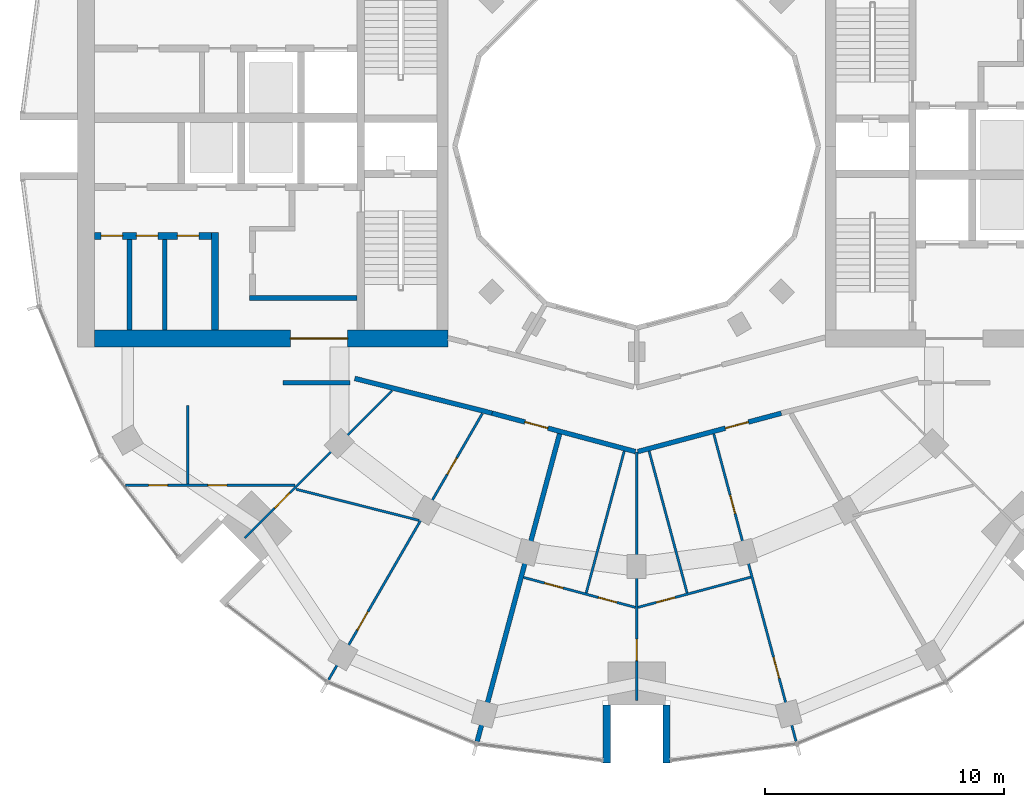
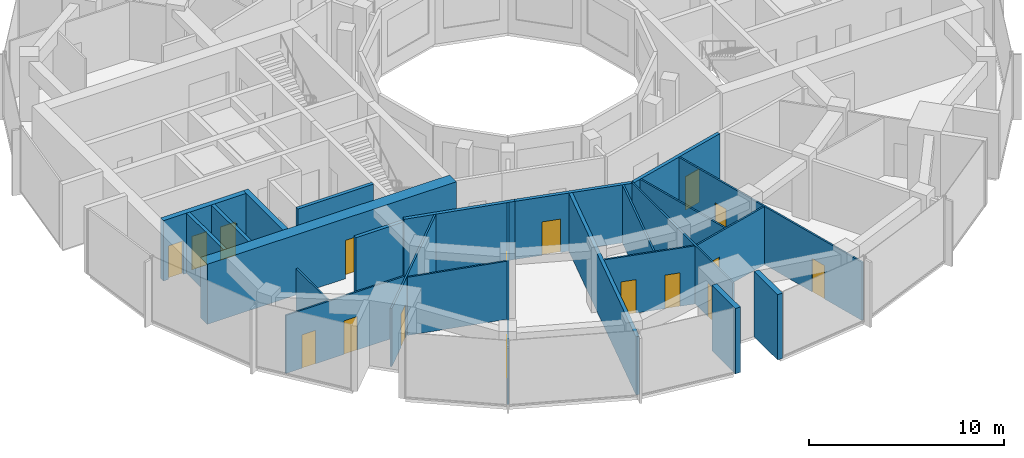
# One storey, part 8 of 15: 24 walls, 17 doors, 17 openings.
"""IFC4 building model written with IfcOpenShell, lengths in metres."""

from ifc_helpers import new_model, si_unit, direction, frame, frame_2d, origin, place, context, subcontext, project, spatial, rectangle, extrude, material, layer, layer_set, type_object, element, fill, save


model = new_model("IFC4")

# Units and contexts
model_context = context("Model", 3, precision=1e-05, world=origin(), true_north=direction((0.0, 1.0)))
body_context = subcontext(model_context, "Body", "Model", "MODEL_VIEW")
ifc_project = project(units=[si_unit("LENGTHUNIT", "METRE"), si_unit("AREAUNIT", "SQUARE_METRE"), si_unit("VOLUMEUNIT", "CUBIC_METRE"), si_unit("PLANEANGLEUNIT", "RADIAN"), si_unit("MASSUNIT", "GRAM", prefix="KILO")], contexts=[model_context])

# Site, building, storey
site_placement = place(None, origin())
site = spatial("IfcSite", under=ifc_project, at=site_placement, CompositionType="ELEMENT")
building_placement = place(site_placement, origin())
building = spatial("IfcBuilding", under=site, at=building_placement, Name="Torre Brocal", CompositionType="ELEMENT")
storey_placement = place(building_placement, frame((0.0, 0.0, 198.699951171875)))
storey = spatial("IfcBuildingStorey", under=building, at=storey_placement, Name="L46", CompositionType="ELEMENT", Elevation=198.699951171875)

# Walls
ifc_material_1 = material(Name="Masonry block", Category="masonry")
ifc_layer_1 = layer(ifc_material_1, 0.199951171875)
ifc_layer_set_1 = layer_set([ifc_layer_1], Name="Masonry block")
wall_type_1 = type_object("IfcWallType", Name="CORE PARTITION 200", PredefinedType="PARTITIONING", material=ifc_layer_set_1)
for number, where, z_axis, x_axis, name in (
    (1, (60.239990234375, 71.10009765625, 0.0), (0.0, 0.0, 1.0), (0.0, -1.0, 0.0), "Wall CP200"),
    (2, (58.77001953125, 71.10009765625, 0.0), (0.0, 0.0, 1.0), (0.0, -1.0, 0.0), "Wall CP200"),
):
    element("IfcWall", number, at=place(storey_placement, frame(where, z_axis=z_axis, x_axis=x_axis)), inside=storey, type_object=wall_type_1, Name=name, PredefinedType="PARTITIONING", context=body_context, shape_type="SweptSolid", body=[
        extrude(rectangle(XDim=3.800048828125, YDim=0.199951171875, at=frame_2d((1.89990234375, 0.0))), origin(), (0.0, 0.0, 1.0), 3.780029296875),
    ])
ifc_material_2 = material(Name="Concrete C70", Category="concrete")
ifc_layer_2 = layer(ifc_material_2, 0.199951171875)
ifc_layer_set_2 = layer_set([ifc_layer_2], Name="Concrete C70")
wall_type_2 = type_object("IfcWallType", Name="CORE WALL 200 C70", PredefinedType="SHEAR", material=ifc_layer_set_2)
wall_1_placement = place(storey_placement, frame((68.300048828125, 68.64990234375, 0.0), z_axis=(0.0, 0.0, 1.0), x_axis=(-1.0, 0.0, 0.0)))
element("IfcWall", 3, at=wall_1_placement, inside=storey, type_object=wall_type_2, Name="Wall CW200-70", PredefinedType="SHEAR", context=body_context, shape_type="SweptSolid", body=[
    extrude(rectangle(XDim=4.5, YDim=0.199951171875, at=frame_2d((2.25, 0.0))), origin(), (0.0, 0.0, 1.0), 3.780029296875),
])
ifc_material_3 = material(Name="Concrete C70", Category="concrete")
ifc_layer_3 = layer(ifc_material_3, 0.300048828125)
ifc_layer_set_3 = layer_set([ifc_layer_3], Name="Concrete C70")
wall_type_3 = type_object("IfcWallType", Name="CORE WALL 300 C70", PredefinedType="SHEAR", material=ifc_layer_set_3)
wall_2_placement = place(storey_placement, frame((62.35009765625, 71.39990234375, 0.0), z_axis=(0.0, 0.0, 1.0), x_axis=(0.0, -1.0, 0.0)))
element("IfcWall", 4, at=wall_2_placement, inside=storey, type_object=wall_type_3, Name="Wall CW300-70", PredefinedType="SHEAR", context=body_context, shape_type="SweptSolid", body=[
    extrude(rectangle(XDim=4.099853515625, YDim=0.300048828125, at=frame_2d((2.0498046875, 0.0))), origin(), (0.0, 0.0, 1.0), 3.780029296875),
])

# Wall, openings, doors
wall_3_placement = place(storey_placement, frame((62.199951171875, 71.25, 0.0), z_axis=(0.0, 0.0, 1.0), x_axis=(-1.0, 0.0, 0.0)))
wall_3 = element("IfcWall", 5, at=wall_3_placement, inside=storey, type_object=wall_type_3, Name="Wall CW300-70", PredefinedType="SHEAR", context=body_context, shape_type="SweptSolid", body=[
    extrude(rectangle(XDim=4.89990234375, YDim=0.300048828125, at=frame_2d((2.449951171875, 0.0))), origin(), (0.0, 0.0, 1.0), 3.780029296875),
])
opening_1_placement = place(wall_3_placement, frame((0.530029296875, 0.0, 0.0)))
opening_1 = element("IfcOpeningElement", 6, at=opening_1_placement, cuts=wall_3, Name="Opening W-D28", PredefinedType="OPENING", context=body_context, shape_type="SweptSolid", body=[
    extrude(rectangle(XDim=0.89990234375, YDim=2.10009765625, at=frame_2d((0.449951171875, 1.050048828125))), frame((0.0, 0.159912109375, 0.0), z_axis=(0.0, -1.0, 0.0), x_axis=(1.0, 0.0, 0.0)), (0.0, 0.0, 1.0), 0.320068359375),
])
opening_2_placement = place(wall_3_placement, frame((2.2451171875, 0.0, 0.0)))
opening_2 = element("IfcOpeningElement", 7, at=opening_2_placement, cuts=wall_3, Name="Opening W-D09", PredefinedType="OPENING", context=body_context, shape_type="SweptSolid", body=[
    extrude(rectangle(XDim=0.89990234375, YDim=2.10009765625, at=frame_2d((0.449951171875, 1.050048828125))), frame((0.0, 0.159912109375, 0.0), z_axis=(0.0, -1.0, 0.0), x_axis=(1.0, 0.0, 0.0)), (0.0, 0.0, 1.0), 0.320068359375),
])
opening_3_placement = place(wall_3_placement, frame((3.715087890625, 0.0, 0.0)))
opening_3 = element("IfcOpeningElement", 8, at=opening_3_placement, cuts=wall_3, Name="Opening W-D10", PredefinedType="OPENING", context=body_context, shape_type="SweptSolid", body=[
    extrude(rectangle(XDim=0.89990234375, YDim=2.10009765625, at=frame_2d((0.449951171875, 1.050048828125))), frame((0.0, 0.159912109375, 0.0), z_axis=(0.0, -1.0, 0.0), x_axis=(1.0, 0.0, 0.0)), (0.0, 0.0, 1.0), 0.320068359375),
])
ifc_material_4 = material(Name="Steel A653", Category="steel")
door_type_1 = type_object("IfcDoorType", Name="ROOM DOOR FD30S 900X2100", OperationType="SINGLE_SWING_LEFT", PredefinedType="DOOR", material=ifc_material_4)
door_1_placement = place(opening_1_placement, origin())
door_1 = element("IfcDoor", 9, at=door_1_placement, inside=storey, type_object=door_type_1, Name="Door W-D28", OperationType="SINGLE_SWING_RIGHT", OverallHeight=2.10009765625, OverallWidth=0.89990234375, PredefinedType="DOOR", context=body_context, shape_type="SweptSolid", body=[
    extrude(rectangle(XDim=0.89990234375, YDim=2.10009765625, at=frame_2d((0.449951171875, 1.050048828125))), frame((0.0, 0.02490234375, 0.0), z_axis=(0.0, -1.0, 0.0), x_axis=(1.0, 0.0, 0.0)), (0.0, 0.0, 1.0), 0.050048828125),
])
fill(opening_1, door_1)
door_2_placement = place(opening_2_placement, origin())
door_2 = element("IfcDoor", 10, at=door_2_placement, inside=storey, type_object=door_type_1, Name="Door W-D09", OperationType="SINGLE_SWING_LEFT", OverallHeight=2.10009765625, OverallWidth=0.89990234375, PredefinedType="DOOR", context=body_context, shape_type="SweptSolid", body=[
    extrude(rectangle(XDim=0.89990234375, YDim=2.10009765625, at=frame_2d((0.449951171875, 1.050048828125))), frame((0.0, 0.02490234375, 0.0), z_axis=(0.0, -1.0, 0.0), x_axis=(1.0, 0.0, 0.0)), (0.0, 0.0, 1.0), 0.050048828125),
])
fill(opening_2, door_2)
door_3_placement = place(opening_3_placement, origin())
door_3 = element("IfcDoor", 11, at=door_3_placement, inside=storey, type_object=door_type_1, Name="Door W-D10", OperationType="SINGLE_SWING_LEFT", OverallHeight=2.10009765625, OverallWidth=0.89990234375, PredefinedType="DOOR", context=body_context, shape_type="SweptSolid", body=[
    extrude(rectangle(XDim=0.89990234375, YDim=2.10009765625, at=frame_2d((0.449951171875, 1.050048828125))), frame((0.0, 0.02490234375, 0.0), z_axis=(0.0, -1.0, 0.0), x_axis=(1.0, 0.0, 0.0)), (0.0, 0.0, 1.0), 0.050048828125),
])
fill(opening_3, door_3)

# Wall, opening, door
ifc_material_5 = material(Name="Concrete C70", Category="concrete")
ifc_layer_4 = layer(ifc_material_5, 0.699951171875)
ifc_layer_set_4 = layer_set([ifc_layer_4], Name="Concrete C70")
wall_type_4 = type_object("IfcWallType", Name="CORE WALL 700 C70", PredefinedType="SHEAR", material=ifc_layer_set_4)
wall_4_placement = place(storey_placement, frame((72.10009765625, 66.949951171875, 0.0), z_axis=(0.0, 0.0, 1.0), x_axis=(-1.0, 0.0, 0.0)))
wall_4 = element("IfcWall", 12, at=wall_4_placement, inside=storey, type_object=wall_type_4, Name="Wall CW700-70", PredefinedType="SHEAR", context=body_context, shape_type="SweptSolid", body=[
    extrude(rectangle(XDim=14.800048828125, YDim=0.699951171875, at=frame_2d((7.39990234375, 0.0))), origin(), (0.0, 0.0, 1.0), 3.780029296875),
])
opening_4_placement = place(wall_4_placement, frame((4.199951171875, 0.0, 0.0)))
opening_4 = element("IfcOpeningElement", 13, at=opening_4_placement, cuts=wall_4, Name="Opening W-D34", PredefinedType="OPENING", context=body_context, shape_type="SweptSolid", body=[
    extrude(rectangle(XDim=2.39990234375, YDim=2.39990234375, at=frame_2d((1.199951171875, 1.199951171875))), frame((0.0, 0.35986328125, 0.0), z_axis=(0.0, -1.0, 0.0), x_axis=(1.0, 0.0, 0.0)), (0.0, 0.0, 1.0), 0.719970703125),
])
ifc_material_6 = material(Name="Steel A653", Category="steel")
door_type_2 = type_object("IfcDoorType", Name="DOUBLE FIRE DOOR FD90 2400X2400", OperationType="DOUBLE_DOOR_SINGLE_SWING", PredefinedType="DOOR", material=ifc_material_6)
door_4_placement = place(opening_4_placement, frame((2.39990234375, 0.0, 0.0), z_axis=(0.0, 0.0, 1.0), x_axis=(-1.0, 0.0, 0.0)))
door_4 = element("IfcDoor", 14, at=door_4_placement, inside=storey, type_object=door_type_2, Name="Door W-D34", OperationType="DOUBLE_DOOR_SINGLE_SWING", OverallHeight=2.39990234375, OverallWidth=2.39990234375, PredefinedType="DOOR", context=body_context, shape_type="SweptSolid", body=[
    extrude(rectangle(XDim=2.39990234375, YDim=2.39990234375, at=frame_2d((1.199951171875, 1.199951171875))), frame((0.0, 0.02490234375, 0.0), z_axis=(0.0, -1.0, 0.0), x_axis=(1.0, 0.0, 0.0)), (0.0, 0.0, 1.0), 0.050048828125),
])
fill(opening_4, door_4)

# Walls
ifc_material_7 = material(Name="Concrete C70", Category="concrete")
ifc_layer_5 = layer(ifc_material_7, 0.300048828125)
ifc_layer_set_5 = layer_set([ifc_layer_5], Name="Concrete C70")
wall_type_5 = type_object("IfcWallType", Name="NOTCH RETURN WALL 300 C70", PredefinedType="NOTDEFINED", material=ifc_layer_set_5)
for number, where, z_axis, x_axis, name in (
    (15, (78.75, 51.60009765625, 0.0), (0.0, 0.0, 1.0), (0.0, -1.0, 0.0), "NOTCH RETURN WALL"),
    (16, (81.25, 51.60009765625, 0.0), (0.0, 0.0, 1.0), (0.0, -1.0, 0.0), "NOTCH RETURN WALL"),
):
    element("IfcWall", number, at=place(storey_placement, frame(where, z_axis=z_axis, x_axis=x_axis)), inside=storey, type_object=wall_type_5, Name=name, PredefinedType="NOTDEFINED", context=body_context, shape_type="SweptSolid", body=[
        extrude(rectangle(XDim=2.415771484375, YDim=0.300048828125, at=frame_2d((1.2080078125, 0.0))), origin(), (0.0, 0.0, 1.0), 4.10009765625),
    ])

# Wall, openings, doors
ifc_material_8 = material(Name="Gypsum board", Category="Gypsum")
ifc_layer_6 = layer(ifc_material_8, 0.10009765625)
ifc_layer_set_6 = layer_set([ifc_layer_6], Name="Gypsum board")
wall_type_6 = type_object("IfcWallType", Name="PARTITION 100", PredefinedType="PARTITIONING", material=ifc_layer_set_6)
wall_5_placement = place(storey_placement, frame((58.60009765625, 60.81201171875, 0.0), z_axis=(0.0, 0.0, 1.0), x_axis=(1.0, 0.0, 0.0)))
wall_5 = element("IfcWall", 17, at=wall_5_placement, inside=storey, type_object=wall_type_6, Name="BATHROOM WALL", PredefinedType="PARTITIONING", context=body_context, shape_type="SweptSolid", body=[
    extrude(rectangle(XDim=7.091796875, YDim=0.10009765625, at=frame_2d((3.5458984375, 0.0))), origin(), (0.0, 0.0, 1.0), 3.650146484375),
])
opening_5_placement = place(wall_5_placement, frame((3.446044921875, 0.0, 0.0)))
opening_5 = element("IfcOpeningElement", 18, at=opening_5_placement, cuts=wall_5, Name="Opening R04-D35", PredefinedType="OPENING", context=body_context, shape_type="SweptSolid", body=[
    extrude(rectangle(XDim=0.800048828125, YDim=2.10009765625, at=frame_2d((0.39990234375, 1.050048828125))), frame((0.0, 0.06005859375, 0.0), z_axis=(0.0, -1.0, 0.0), x_axis=(1.0, 0.0, 0.0)), (0.0, 0.0, 1.0), 0.1201171875),
])
opening_6_placement = place(wall_5_placement, frame((0.965087890625, 0.0, 0.0)))
opening_6 = element("IfcOpeningElement", 19, at=opening_6_placement, cuts=wall_5, Name="Opening R04-D36", PredefinedType="OPENING", context=body_context, shape_type="SweptSolid", body=[
    extrude(rectangle(XDim=0.800048828125, YDim=2.10009765625, at=frame_2d((0.39990234375, 1.050048828125))), frame((0.0, 0.06005859375, 0.0), z_axis=(0.0, -1.0, 0.0), x_axis=(1.0, 0.0, 0.0)), (0.0, 0.0, 1.0), 0.1201171875),
])
ifc_material_9 = material(Name="Timber", Category="wood")
door_type_3 = type_object("IfcDoorType", Name="BATHROOM DOOR 800X2100", OperationType="SINGLE_SWING_LEFT", PredefinedType="DOOR", material=ifc_material_9)
door_5_placement = place(opening_5_placement, origin())
door_5 = element("IfcDoor", 20, at=door_5_placement, inside=storey, type_object=door_type_3, Name="R04-D35", OperationType="SINGLE_SWING_LEFT", OverallHeight=2.10009765625, OverallWidth=0.800048828125, PredefinedType="DOOR", context=body_context, shape_type="SweptSolid", body=[
    extrude(rectangle(XDim=0.800048828125, YDim=2.10009765625, at=frame_2d((0.39990234375, 1.050048828125))), frame((0.0, 0.02490234375, 0.0), z_axis=(0.0, -1.0, 0.0), x_axis=(1.0, 0.0, 0.0)), (0.0, 0.0, 1.0), 0.050048828125),
])
fill(opening_5, door_5)
door_6_placement = place(opening_6_placement, frame((0.800048828125, 0.0, 0.0), z_axis=(0.0, 0.0, 1.0), x_axis=(-1.0, 0.0, 0.0)))
door_6 = element("IfcDoor", 21, at=door_6_placement, inside=storey, type_object=door_type_3, Name="R04-D36", OperationType="SINGLE_SWING_RIGHT", OverallHeight=2.10009765625, OverallWidth=0.800048828125, PredefinedType="DOOR", context=body_context, shape_type="SweptSolid", body=[
    extrude(rectangle(XDim=0.800048828125, YDim=2.10009765625, at=frame_2d((0.39990234375, 1.050048828125))), frame((0.0, 0.02490234375, 0.0), z_axis=(0.0, -1.0, 0.0), x_axis=(1.0, 0.0, 0.0)), (0.0, 0.0, 1.0), 0.050048828125),
])
fill(opening_6, door_6)

# Wall
wall_6_placement = place(storey_placement, frame((61.199951171875, 60.862060546875, 0.0), z_axis=(0.0, 0.0, 1.0), x_axis=(0.0, 1.0, 0.0)))
element("IfcWall", 22, at=wall_6_placement, inside=storey, type_object=wall_type_6, Name="BATHROOM WALL", PredefinedType="PARTITIONING", context=body_context, shape_type="SweptSolid", body=[
    extrude(rectangle(XDim=3.282958984375, YDim=0.10009765625, at=frame_2d((1.6416015625, 0.0))), origin(), (0.0, 0.0, 1.0), 3.650146484375),
])

# Wall, opening, door
wall_7_placement = place(storey_placement, frame((63.591552734375, 58.599609375, 0.0), z_axis=(0.0, 0.0, 1.0), x_axis=(0.707260766325, 0.706952762508, 0.0)))
wall_7 = element("IfcWall", 23, at=wall_7_placement, inside=storey, type_object=wall_type_6, Name="BATHROOM WALL", PredefinedType="PARTITIONING", context=body_context, shape_type="SweptSolid", body=[
    extrude(rectangle(XDim=8.71923828125, YDim=0.10009765625, at=frame_2d((4.359619140625, 0.0))), origin(), (0.0, 0.0, 1.0), 3.650146484375),
])
opening_7_placement = place(wall_7_placement, frame((1.772216796875, 0.0, 0.0)))
opening_7 = element("IfcOpeningElement", 24, at=opening_7_placement, cuts=wall_7, Name="Opening R04-D34", PredefinedType="OPENING", context=body_context, shape_type="SweptSolid", body=[
    extrude(rectangle(XDim=0.89990234375, YDim=2.10009765625, at=frame_2d((0.449951171875, 1.050048828125))), frame((0.0, 0.06005859375, 0.0), z_axis=(0.0, -1.0, 0.0), x_axis=(1.0, 0.0, 0.0)), (0.0, 0.0, 1.0), 0.1201171875),
])
ifc_material_10 = material(Name="Timber", Category="wood")
door_type_4 = type_object("IfcDoorType", Name="ROOM DOOR 900X2100", OperationType="SINGLE_SWING_LEFT", PredefinedType="DOOR", material=ifc_material_10)
door_7_placement = place(opening_7_placement, origin())
door_7 = element("IfcDoor", 25, at=door_7_placement, inside=storey, type_object=door_type_4, Name="R04-D34", OperationType="SINGLE_SWING_LEFT", OverallHeight=2.10009765625, OverallWidth=0.89990234375, PredefinedType="DOOR", context=body_context, shape_type="SweptSolid", body=[
    extrude(rectangle(XDim=0.89990234375, YDim=2.10009765625, at=frame_2d((0.449951171875, 1.050048828125))), frame((0.0, 0.02490234375, 0.0), z_axis=(0.0, -1.0, 0.0), x_axis=(1.0, 0.0, 0.0)), (0.0, 0.0, 1.0), 0.050048828125),
])
fill(opening_7, door_7)

# Wall
wall_8_placement = place(storey_placement, frame((65.739501953125, 60.642333984375, 0.0), z_axis=(0.0, 0.0, 1.0), x_axis=(0.969435742918, -0.245345349156, 0.0)))
element("IfcWall", 26, at=wall_8_placement, inside=storey, type_object=wall_type_6, Name="BATHROOM WALL", PredefinedType="PARTITIONING", context=body_context, shape_type="SweptSolid", body=[
    extrude(rectangle(XDim=5.313720703125, YDim=0.10009765625, at=frame_2d((2.65673828125, 0.0))), origin(), (0.0, 0.0, 1.0), 3.650146484375),
])

# Wall, openings, doors
wall_9_placement = place(storey_placement, frame((67.100830078125, 52.65869140625, 0.0), z_axis=(0.0, 0.0, 1.0), x_axis=(0.500035926033, 0.866004660886, 0.0)))
wall_9 = element("IfcWall", 27, at=wall_9_placement, inside=storey, type_object=wall_type_6, Name="BATHROOM WALL", PredefinedType="PARTITIONING", context=body_context, shape_type="SweptSolid", body=[
    extrude(rectangle(XDim=12.87646484375, YDim=0.10009765625, at=frame_2d((6.438232421875, 0.0))), origin(), (0.0, 0.0, 1.0), 3.650146484375),
])
opening_8_placement = place(wall_9_placement, frame((2.40087890625, 0.0, 0.0)))
opening_8 = element("IfcOpeningElement", 28, at=opening_8_placement, cuts=wall_9, Name="Opening R04-D32", PredefinedType="OPENING", context=body_context, shape_type="SweptSolid", body=[
    extrude(rectangle(XDim=0.89990234375, YDim=2.10009765625, at=frame_2d((0.449951171875, 1.050048828125))), frame((0.0, 0.06005859375, 0.0), z_axis=(0.0, -1.0, 0.0), x_axis=(1.0, 0.0, 0.0)), (0.0, 0.0, 1.0), 0.1201171875),
])
opening_9_placement = place(wall_9_placement, frame((9.93603515625, 0.0, 0.0)))
opening_9 = element("IfcOpeningElement", 29, at=opening_9_placement, cuts=wall_9, Name="Opening R04-D33", PredefinedType="OPENING", context=body_context, shape_type="SweptSolid", body=[
    extrude(rectangle(XDim=0.800048828125, YDim=2.10009765625, at=frame_2d((0.39990234375, 1.050048828125))), frame((0.0, 0.06005859375, 0.0), z_axis=(0.0, -1.0, 0.0), x_axis=(1.0, 0.0, 0.0)), (0.0, 0.0, 1.0), 0.1201171875),
])
door_8_placement = place(opening_9_placement, origin())
door_8 = element("IfcDoor", 30, at=door_8_placement, inside=storey, type_object=door_type_3, Name="R04-D33", OperationType="SINGLE_SWING_RIGHT", OverallHeight=2.10009765625, OverallWidth=0.800048828125, PredefinedType="DOOR", context=body_context, shape_type="SweptSolid", body=[
    extrude(rectangle(XDim=0.800048828125, YDim=2.10009765625, at=frame_2d((0.39990234375, 1.050048828125))), frame((0.0, 0.02490234375, 0.0), z_axis=(0.0, -1.0, 0.0), x_axis=(1.0, 0.0, 0.0)), (0.0, 0.0, 1.0), 0.050048828125),
])
fill(opening_9, door_8)
door_9_placement = place(opening_8_placement, origin())
door_9 = element("IfcDoor", 31, at=door_9_placement, inside=storey, type_object=door_type_4, Name="R04-D32", OperationType="SINGLE_SWING_LEFT", OverallHeight=2.10009765625, OverallWidth=0.89990234375, PredefinedType="DOOR", context=body_context, shape_type="SweptSolid", body=[
    extrude(rectangle(XDim=0.89990234375, YDim=2.10009765625, at=frame_2d((0.449951171875, 1.050048828125))), frame((0.0, 0.02490234375, 0.0), z_axis=(0.0, -1.0, 0.0), x_axis=(1.0, 0.0, 0.0)), (0.0, 0.0, 1.0), 0.050048828125),
])
fill(opening_8, door_9)

wall_10_placement = place(storey_placement, frame((75.266845703125, 56.9501953125, 0.0), z_axis=(0.0, 0.0, 1.0), x_axis=(0.965900084933, -0.25891509405, 0.0)))
wall_10 = element("IfcWall", 32, at=wall_10_placement, inside=storey, type_object=wall_type_6, Name="BATHROOM WALL", PredefinedType="PARTITIONING", context=body_context, shape_type="SweptSolid", body=[
    extrude(rectangle(XDim=4.840087890625, YDim=0.10009765625, at=frame_2d((2.419921875, 0.0))), origin(), (0.0, 0.0, 1.0), 3.650146484375),
])
opening_10_placement = place(wall_10_placement, frame((0.909912109375, 0.0, 0.0)))
opening_10 = element("IfcOpeningElement", 33, at=opening_10_placement, cuts=wall_10, Name="Opening R04-D29", PredefinedType="OPENING", context=body_context, shape_type="SweptSolid", body=[
    extrude(rectangle(XDim=0.800048828125, YDim=2.10009765625, at=frame_2d((0.39990234375, 1.050048828125))), frame((0.0, 0.06005859375, 0.0), z_axis=(0.0, -1.0, 0.0), x_axis=(1.0, 0.0, 0.0)), (0.0, 0.0, 1.0), 0.1201171875),
])
opening_11_placement = place(wall_10_placement, frame((3.240478515625, 0.0, 0.0)))
opening_11 = element("IfcOpeningElement", 34, at=opening_11_placement, cuts=wall_10, Name="Opening R04-D30", PredefinedType="OPENING", context=body_context, shape_type="SweptSolid", body=[
    extrude(rectangle(XDim=0.800048828125, YDim=2.10009765625, at=frame_2d((0.39990234375, 1.050048828125))), frame((0.0, 0.06005859375, 0.0), z_axis=(0.0, -1.0, 0.0), x_axis=(1.0, 0.0, 0.0)), (0.0, 0.0, 1.0), 0.1201171875),
])
door_10_placement = place(opening_10_placement, origin())
door_10 = element("IfcDoor", 35, at=door_10_placement, inside=storey, type_object=door_type_3, Name="R04-D29", OperationType="SINGLE_SWING_LEFT", OverallHeight=2.10009765625, OverallWidth=0.800048828125, PredefinedType="DOOR", context=body_context, shape_type="SweptSolid", body=[
    extrude(rectangle(XDim=0.800048828125, YDim=2.10009765625, at=frame_2d((0.39990234375, 1.050048828125))), frame((0.0, 0.02490234375, 0.0), z_axis=(0.0, -1.0, 0.0), x_axis=(1.0, 0.0, 0.0)), (0.0, 0.0, 1.0), 0.050048828125),
])
fill(opening_10, door_10)
door_11_placement = place(opening_11_placement, frame((0.800048828125, 0.0, 0.0), z_axis=(0.0, 0.0, 1.0), x_axis=(-1.0, 0.0, 0.0)))
door_11 = element("IfcDoor", 36, at=door_11_placement, inside=storey, type_object=door_type_3, Name="R04-D30", OperationType="SINGLE_SWING_LEFT", OverallHeight=2.10009765625, OverallWidth=0.800048828125, PredefinedType="DOOR", context=body_context, shape_type="SweptSolid", body=[
    extrude(rectangle(XDim=0.800048828125, YDim=2.10009765625, at=frame_2d((0.39990234375, 1.050048828125))), frame((0.0, 0.02490234375, 0.0), z_axis=(0.0, -1.0, 0.0), x_axis=(1.0, 0.0, 0.0)), (0.0, 0.0, 1.0), 0.050048828125),
])
fill(opening_11, door_11)

# Wall
wall_11_placement = place(storey_placement, frame((77.887939453125, 56.299560546875, 0.0), z_axis=(0.0, 0.0, 1.0), x_axis=(0.258885575383, 0.965907997098, 0.0)))
element("IfcWall", 37, at=wall_11_placement, inside=storey, type_object=wall_type_6, Name="BATHROOM WALL", PredefinedType="PARTITIONING", context=body_context, shape_type="SweptSolid", body=[
    extrude(rectangle(XDim=6.149658203125, YDim=0.10009765625, at=frame_2d((3.07470703125, 0.0))), origin(), (0.0, 0.0, 1.0), 3.650146484375),
])

# Wall, opening, door
wall_12_placement = place(storey_placement, frame((80.0, 51.800048828125, 0.0), z_axis=(0.0, 0.0, 1.0), x_axis=(0.0, 1.0, 0.0)))
wall_12 = element("IfcWall", 38, at=wall_12_placement, inside=storey, type_object=wall_type_6, Name="BATHROOM WALL", PredefinedType="PARTITIONING", context=body_context, shape_type="SweptSolid", body=[
    extrude(rectangle(XDim=10.404052734375, YDim=0.10009765625, at=frame_2d((5.2021484375, 0.0))), origin(), (0.0, 0.0, 1.0), 3.650146484375),
])
opening_12_placement = place(wall_12_placement, frame((1.666015625, 0.0, 0.0)))
opening_12 = element("IfcOpeningElement", 39, at=opening_12_placement, cuts=wall_12, Name="Opening R04-D28", PredefinedType="OPENING", context=body_context, shape_type="SweptSolid", body=[
    extrude(rectangle(XDim=0.89990234375, YDim=2.10009765625, at=frame_2d((0.449951171875, 1.050048828125))), frame((0.0, 0.06005859375, 0.0), z_axis=(0.0, -1.0, 0.0), x_axis=(1.0, 0.0, 0.0)), (0.0, 0.0, 1.0), 0.1201171875),
])
door_12_placement = place(opening_12_placement, origin())
door_12 = element("IfcDoor", 40, at=door_12_placement, inside=storey, type_object=door_type_4, Name="R04-D28", OperationType="SINGLE_SWING_RIGHT", OverallHeight=2.10009765625, OverallWidth=0.89990234375, PredefinedType="DOOR", context=body_context, shape_type="SweptSolid", body=[
    extrude(rectangle(XDim=0.89990234375, YDim=2.10009765625, at=frame_2d((0.449951171875, 1.050048828125))), frame((0.0, 0.02490234375, 0.0), z_axis=(0.0, -1.0, 0.0), x_axis=(1.0, 0.0, 0.0)), (0.0, 0.0, 1.0), 0.050048828125),
])
fill(opening_12, door_12)

wall_13_placement = place(storey_placement, frame((80.057861328125, 55.697509765625, 0.0), z_axis=(0.0, 0.0, 1.0), x_axis=(0.965970105839, 0.258653734992, 0.0)))
wall_13 = element("IfcWall", 41, at=wall_13_placement, inside=storey, type_object=wall_type_6, Name="BATHROOM WALL", PredefinedType="PARTITIONING", context=body_context, shape_type="SweptSolid", body=[
    extrude(rectangle(XDim=4.890380859375, YDim=0.10009765625, at=frame_2d((2.4453125, 0.0))), origin(), (0.0, 0.0, 1.0), 3.650146484375),
])
opening_13_placement = place(wall_13_placement, frame((0.7998046875, 0.0, 0.0)))
opening_13 = element("IfcOpeningElement", 42, at=opening_13_placement, cuts=wall_13, Name="Opening R04-D26", PredefinedType="OPENING", context=body_context, shape_type="SweptSolid", body=[
    extrude(rectangle(XDim=0.800048828125, YDim=2.10009765625, at=frame_2d((0.39990234375, 1.050048828125))), frame((0.0, 0.06005859375, 0.0), z_axis=(0.0, -1.0, 0.0), x_axis=(1.0, 0.0, 0.0)), (0.0, 0.0, 1.0), 0.1201171875),
])
door_13_placement = place(opening_13_placement, origin())
door_13 = element("IfcDoor", 43, at=door_13_placement, inside=storey, type_object=door_type_3, Name="R04-D26", OperationType="SINGLE_SWING_RIGHT", OverallHeight=2.10009765625, OverallWidth=0.800048828125, PredefinedType="DOOR", context=body_context, shape_type="SweptSolid", body=[
    extrude(rectangle(XDim=0.800048828125, YDim=2.10009765625, at=frame_2d((0.39990234375, 1.050048828125))), frame((0.0, 0.02490234375, 0.0), z_axis=(0.0, -1.0, 0.0), x_axis=(1.0, 0.0, 0.0)), (0.0, 0.0, 1.0), 0.050048828125),
])
fill(opening_13, door_13)

# Wall
wall_14_placement = place(storey_placement, frame((80.52001953125, 62.239501953125, 0.0), z_axis=(0.0, 0.0, 1.0), x_axis=(0.258885575383, -0.965907997098, 0.0)))
element("IfcWall", 44, at=wall_14_placement, inside=storey, type_object=wall_type_6, Name="BATHROOM WALL", PredefinedType="PARTITIONING", context=body_context, shape_type="SweptSolid", body=[
    extrude(rectangle(XDim=6.149658203125, YDim=0.10009765625, at=frame_2d((3.07470703125, 0.0))), origin(), (0.0, 0.0, 1.0), 3.650146484375),
])

# Wall, openings, doors
wall_15_placement = place(storey_placement, frame((83.22802734375, 62.954833984375, 0.0), z_axis=(0.0, 0.0, 1.0), x_axis=(0.258737611245, -0.965947642746, 0.0)))
wall_15 = element("IfcWall", 45, at=wall_15_placement, inside=storey, type_object=wall_type_6, Name="BATHROOM WALL", PredefinedType="PARTITIONING", context=body_context, shape_type="SweptSolid", body=[
    extrude(rectangle(XDim=13.328125, YDim=0.10009765625, at=frame_2d((6.6640625, 0.0))), origin(), (0.0, 0.0, 1.0), 3.650146484375),
])
opening_14_placement = place(wall_15_placement, frame((9.68408203125, 0.0, 0.0)))
opening_14 = element("IfcOpeningElement", 46, at=opening_14_placement, cuts=wall_15, Name="Opening R04-D25", PredefinedType="OPENING", context=body_context, shape_type="SweptSolid", body=[
    extrude(rectangle(XDim=0.89990234375, YDim=2.10009765625, at=frame_2d((0.449951171875, 1.050048828125))), frame((0.0, 0.06005859375, 0.0), z_axis=(0.0, -1.0, 0.0), x_axis=(1.0, 0.0, 0.0)), (0.0, 0.0, 1.0), 0.1201171875),
])
opening_15_placement = place(wall_15_placement, frame((2.649658203125, 0.0, 0.0)))
opening_15 = element("IfcOpeningElement", 47, at=opening_15_placement, cuts=wall_15, Name="Opening R04-D27", PredefinedType="OPENING", context=body_context, shape_type="SweptSolid", body=[
    extrude(rectangle(XDim=0.800048828125, YDim=2.10009765625, at=frame_2d((0.39990234375, 1.050048828125))), frame((0.0, 0.06005859375, 0.0), z_axis=(0.0, -1.0, 0.0), x_axis=(1.0, 0.0, 0.0)), (0.0, 0.0, 1.0), 0.1201171875),
])
door_14_placement = place(opening_15_placement, frame((0.800048828125, 0.0, 0.0), z_axis=(0.0, 0.0, 1.0), x_axis=(-1.0, 0.0, 0.0)))
door_14 = element("IfcDoor", 48, at=door_14_placement, inside=storey, type_object=door_type_3, Name="R04-D27", OperationType="SINGLE_SWING_LEFT", OverallHeight=2.10009765625, OverallWidth=0.800048828125, PredefinedType="DOOR", context=body_context, shape_type="SweptSolid", body=[
    extrude(rectangle(XDim=0.800048828125, YDim=2.10009765625, at=frame_2d((0.39990234375, 1.050048828125))), frame((0.0, 0.02490234375, 0.0), z_axis=(0.0, -1.0, 0.0), x_axis=(1.0, 0.0, 0.0)), (0.0, 0.0, 1.0), 0.050048828125),
])
fill(opening_15, door_14)
door_15_placement = place(opening_14_placement, origin())
door_15 = element("IfcDoor", 49, at=door_15_placement, inside=storey, type_object=door_type_4, Name="R04-D25", OperationType="SINGLE_SWING_RIGHT", OverallHeight=2.10009765625, OverallWidth=0.89990234375, PredefinedType="DOOR", context=body_context, shape_type="SweptSolid", body=[
    extrude(rectangle(XDim=0.89990234375, YDim=2.10009765625, at=frame_2d((0.449951171875, 1.050048828125))), frame((0.0, 0.02490234375, 0.0), z_axis=(0.0, -1.0, 0.0), x_axis=(1.0, 0.0, 0.0)), (0.0, 0.0, 1.0), 0.050048828125),
])
fill(opening_14, door_15)

# Walls
ifc_material_11 = material(Name="Gypsum board", Category="Gypsum")
ifc_layer_7 = layer(ifc_material_11, 0.199951171875)
ifc_layer_set_7 = layer_set([ifc_layer_7], Name="Gypsum board")
wall_type_7 = type_object("IfcWallType", Name="PARTITION 200 EI60", PredefinedType="PARTITIONING", material=ifc_layer_set_7)
wall_16_placement = place(storey_placement, frame((65.199951171875, 65.10009765625, 0.0), z_axis=(0.0, 0.0, 1.0), x_axis=(1.0, 0.0, 0.0)))
element("IfcWall", 50, at=wall_16_placement, inside=storey, type_object=wall_type_7, Name="GUESTROOM CORRIDOR WALL", PredefinedType="PARTITIONING", context=body_context, shape_type="SweptSolid", body=[
    extrude(rectangle(XDim=2.800048828125, YDim=0.199951171875, at=frame_2d((1.39990234375, 0.0))), origin(), (0.0, 0.0, 1.0), 3.650146484375),
])
wall_17_placement = place(storey_placement, frame((68.199951171875, 65.280029296875, 0.0), z_axis=(0.0, 0.0, 1.0), x_axis=(0.969450596516, -0.245286650503, 0.0)))
element("IfcWall", 51, at=wall_17_placement, inside=storey, type_object=wall_type_7, Name="FLAT ENTRANCE WALL", PredefinedType="PARTITIONING", context=body_context, shape_type="SweptSolid", body=[
    extrude(rectangle(XDim=5.92822265625, YDim=0.199951171875, at=frame_2d((2.964111328125, 0.0))), origin(), (0.0, 0.0, 1.0), 3.650146484375),
])
wall_18_placement = place(storey_placement, frame((73.322509765625, 50.080810546875, 0.0), z_axis=(0.0, 0.0, 1.0), x_axis=(0.258888262922, 0.965907276772, 0.0)))
element("IfcWall", 52, at=wall_18_placement, inside=storey, type_object=wall_type_7, Name="BATHROOM WALL", PredefinedType="PARTITIONING", context=body_context, shape_type="SweptSolid", body=[
    extrude(rectangle(XDim=13.33837890625, YDim=0.199951171875, at=frame_2d((6.669189453125, 0.0))), origin(), (0.0, 0.0, 1.0), 3.650146484375),
])

# Wall, opening, door
wall_19_placement = place(storey_placement, frame((73.947021484375, 63.825927734375, 0.0), z_axis=(0.0, 0.0, 1.0), x_axis=(0.965908253407, -0.258884619088, 0.0)))
wall_19 = element("IfcWall", 53, at=wall_19_placement, inside=storey, type_object=wall_type_7, Name="FLAT ENTRANCE WALL", PredefinedType="PARTITIONING", context=body_context, shape_type="SweptSolid", body=[
    extrude(rectangle(XDim=6.216552734375, YDim=0.199951171875, at=frame_2d((3.1083984375, 0.0))), origin(), (0.0, 0.0, 1.0), 3.650146484375),
])
opening_16_placement = place(wall_19_placement, frame((1.42431640625, 0.0, 0.0)))
opening_16 = element("IfcOpeningElement", 54, at=opening_16_placement, cuts=wall_19, Name="Opening R04-D31", PredefinedType="OPENING", context=body_context, shape_type="SweptSolid", body=[
    extrude(rectangle(XDim=1.0, YDim=2.10009765625, at=frame_2d((0.5, 1.050048828125))), frame((0.0, 0.10986328125, 0.0), z_axis=(0.0, -1.0, 0.0), x_axis=(1.0, 0.0, 0.0)), (0.0, 0.0, 1.0), 0.219970703125),
])
ifc_material_12 = material(Name="Timber", Category="wood")
door_type_5 = type_object("IfcDoorType", Name="FLAT ENTRY DOOR FD30S 1000X2100", OperationType="SINGLE_SWING_RIGHT", PredefinedType="DOOR", material=ifc_material_12)
door_16_placement = place(opening_16_placement, frame((1.0, 0.0, 0.0), z_axis=(0.0, 0.0, 1.0), x_axis=(-1.0, 0.0, 0.0)))
door_16 = element("IfcDoor", 55, at=door_16_placement, inside=storey, type_object=door_type_5, Name="R04-D31", OperationType="SINGLE_SWING_LEFT", OverallHeight=2.10009765625, OverallWidth=1.0, PredefinedType="DOOR", context=body_context, shape_type="SweptSolid", body=[
    extrude(rectangle(XDim=1.0, YDim=2.10009765625, at=frame_2d((0.5, 1.050048828125))), frame((0.0, 0.02490234375, 0.0), z_axis=(0.0, -1.0, 0.0), x_axis=(1.0, 0.0, 0.0)), (0.0, 0.0, 1.0), 0.050048828125),
])
fill(opening_16, door_16)

wall_20_placement = place(storey_placement, frame((80.048095703125, 62.21728515625, 0.0), z_axis=(0.0, 0.0, 1.0), x_axis=(0.966097920642, 0.258175923996, 0.0)))
wall_20 = element("IfcWall", 56, at=wall_20_placement, inside=storey, type_object=wall_type_7, Name="FLAT ENTRANCE WALL", PredefinedType="PARTITIONING", context=body_context, shape_type="SweptSolid", body=[
    extrude(rectangle(XDim=6.216552734375, YDim=0.199951171875, at=frame_2d((3.1083984375, 0.0))), origin(), (0.0, 0.0, 1.0), 3.650146484375),
])
opening_17_placement = place(wall_20_placement, frame((3.792236328125, 0.0, 0.0)))
opening_17 = element("IfcOpeningElement", 57, at=opening_17_placement, cuts=wall_20, Name="Opening R04-D24", PredefinedType="OPENING", context=body_context, shape_type="SweptSolid", body=[
    extrude(rectangle(XDim=1.0, YDim=2.10009765625, at=frame_2d((0.5, 1.050048828125))), frame((0.0, 0.10986328125, 0.0), z_axis=(0.0, -1.0, 0.0), x_axis=(1.0, 0.0, 0.0)), (0.0, 0.0, 1.0), 0.219970703125),
])
door_17_placement = place(opening_17_placement, frame((1.0, 0.0, 0.0), z_axis=(0.0, 0.0, 1.0), x_axis=(-1.0, 0.0, 0.0)))
door_17 = element("IfcDoor", 58, at=door_17_placement, inside=storey, type_object=door_type_5, Name="R04-D24", OperationType="SINGLE_SWING_RIGHT", OverallHeight=2.10009765625, OverallWidth=1.0, PredefinedType="DOOR", context=body_context, shape_type="SweptSolid", body=[
    extrude(rectangle(XDim=1.0, YDim=2.10009765625, at=frame_2d((0.5, 1.050048828125))), frame((0.0, 0.02490234375, 0.0), z_axis=(0.0, -1.0, 0.0), x_axis=(1.0, 0.0, 0.0)), (0.0, 0.0, 1.0), 0.050048828125),
])
fill(opening_17, door_17)

save(model, "model.ifc")
